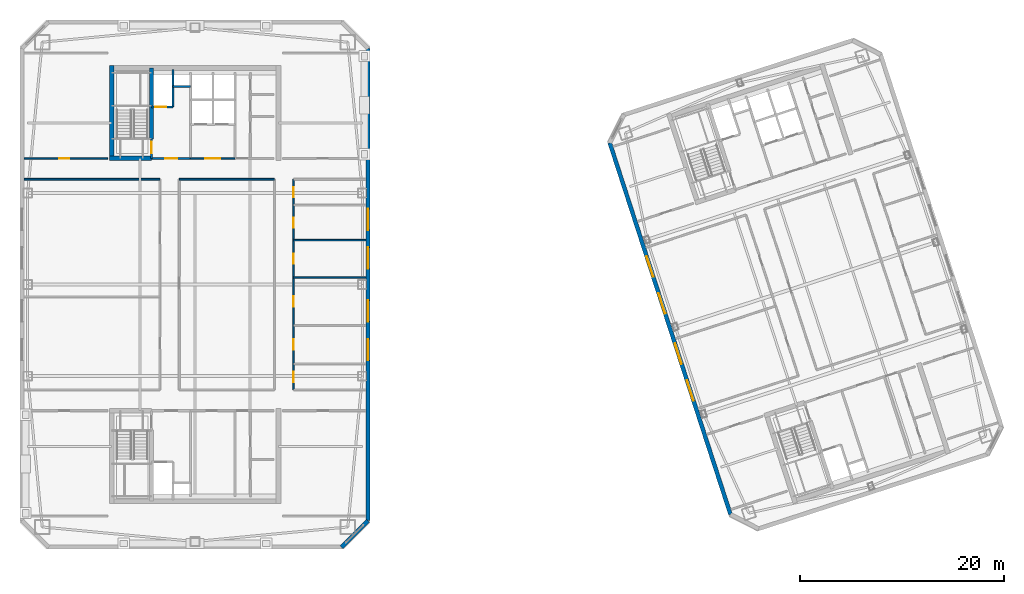
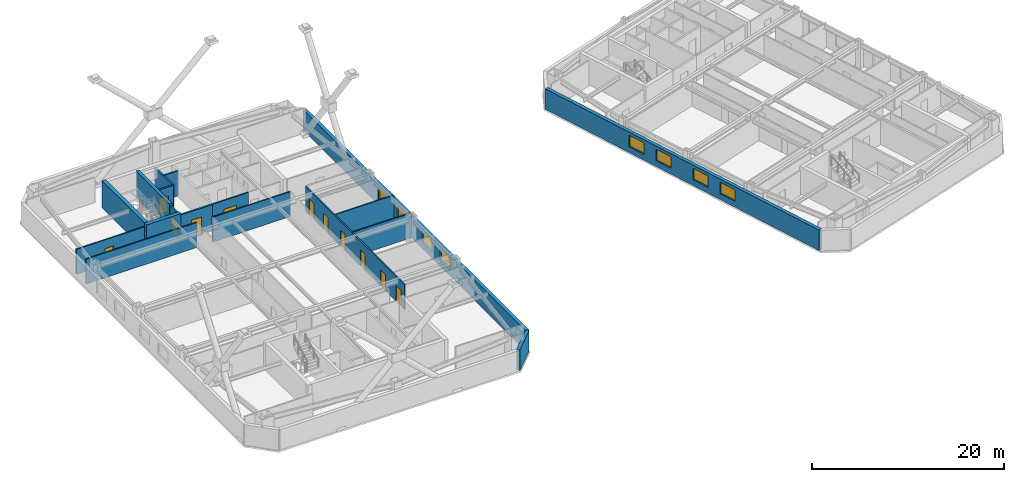
# One storey, part 18 of 25: 18 walls, 11 doors, 8 windows, 19 openings.
"""IFC4 building model written with IfcOpenShell, lengths in metres."""

from ifc_helpers import new_model, si_unit, direction, frame, frame_2d, origin, place, context, subcontext, project, spatial, rectangle, extrude, material, layer, layer_set, type_object, element, fill, save


model = new_model("IFC4")

# Units and contexts
model_context = context("Model", 3, precision=1e-05, world=origin(), true_north=direction((0.0, 1.0)))
body_context = subcontext(model_context, "Body", "Model", "MODEL_VIEW")
ifc_project = project(units=[si_unit("LENGTHUNIT", "METRE"), si_unit("AREAUNIT", "SQUARE_METRE"), si_unit("VOLUMEUNIT", "CUBIC_METRE"), si_unit("PLANEANGLEUNIT", "RADIAN"), si_unit("MASSUNIT", "GRAM", prefix="KILO")], contexts=[model_context])

# Site, building, storey
site_placement = place(None, origin())
site = spatial("IfcSite", under=ifc_project, at=site_placement, CompositionType="ELEMENT")
building_placement = place(site_placement, origin())
building = spatial("IfcBuilding", under=site, at=building_placement, Name="Qiaolan Cultural Towers", CompositionType="ELEMENT")
storey_placement = place(building_placement, frame((0.0, 0.0, 202.39990234375)))
storey = spatial("IfcBuildingStorey", under=building, at=storey_placement, Name="L54", CompositionType="ELEMENT", Elevation=202.39990234375)

# Walls
ifc_material_1 = material(Name="Concrete C50", Category="concrete")
ifc_layer_1 = layer(ifc_material_1, 0.35009765625)
ifc_layer_set_1 = layer_set([ifc_layer_1], Name="Concrete C50")
wall_type_1 = type_object("IfcWallType", Name="WL-CORE-350", PredefinedType="SHEAR", material=ifc_layer_set_1)
wall_1_placement = place(storey_placement, frame((25.719970703125, 48.300048828125, 0.0), z_axis=(0.0, 0.0, 1.0), x_axis=(0.0, 1.0, 0.0)))
element("IfcWall", 1, at=wall_1_placement, inside=storey, type_object=wall_type_1, Name="L54 T1-CN Stair Core Dividing Web", PredefinedType="SHEAR", context=body_context, shape_type="SweptSolid", body=[
    extrude(rectangle(XDim=6.97998046875, YDim=0.35009765625, at=frame_2d((3.489990234375, 0.0))), origin(), (0.0, 0.0, 1.0), 3.4501953125),
])
ifc_material_2 = material(Name="Concrete C50", Category="concrete")
ifc_layer_2 = layer(ifc_material_2, 0.449951171875)
ifc_layer_set_2 = layer_set([ifc_layer_2], Name="Concrete C50")
wall_type_2 = type_object("IfcWallType", Name="WL-CORE-450", PredefinedType="SHEAR", material=ifc_layer_set_2)
wall_2_placement = place(storey_placement, frame((21.800048828125, 46.175048828125, 0.0), z_axis=(0.0, 0.0, 1.0), x_axis=(0.0, 1.0, 0.0)))
element("IfcWall", 2, at=wall_2_placement, inside=storey, type_object=wall_type_2, Name="L54 T1-CN West Core Shear Wall", PredefinedType="SHEAR", context=body_context, shape_type="SweptSolid", body=[
    extrude(rectangle(XDim=9.329833984375, YDim=0.449951171875, at=frame_2d((4.6650390625, 0.0))), origin(), (0.0, 0.0, 1.0), 3.4501953125),
])
wall_3_placement = place(storey_placement, frame((21.574951171875, 46.39990234375, 0.0), z_axis=(0.0, 0.0, 1.0), x_axis=(1.0, 0.0, 0.0)))
element("IfcWall", 3, at=wall_3_placement, inside=storey, type_object=wall_type_2, Name="L54 T1-CN Stair Front Shear Wall", PredefinedType="SHEAR", context=body_context, shape_type="SweptSolid", body=[
    extrude(rectangle(XDim=4.14501953125, YDim=0.449951171875, at=frame_2d((2.072509765625, 0.0))), origin(), (0.0, 0.0, 1.0), 3.4501953125),
])

# Wall, openings, windows
ifc_material_3 = material(Name="Precast Concrete C50 Honed Stone Pier", Category="masonry")
ifc_layer_3 = layer(ifc_material_3, 0.39990234375)
ifc_layer_set_3 = layer_set([ifc_layer_3], Name="Precast Concrete C50 Honed Stone Pier")
wall_type_3 = type_object("IfcWallType", Name="WL-EXT-PIER-400", PredefinedType="SOLIDWALL", material=ifc_layer_set_3)
wall_4_placement = place(storey_placement, frame((47.0, 57.199951171875, 0.0), z_axis=(0.0, 0.0, 1.0), x_axis=(0.0, -1.0, 0.0)))
wall_4 = element("IfcWall", 4, at=wall_4_placement, inside=storey, type_object=wall_type_3, Name="L54 West Tower Precast Pier Facade Wall F5", PredefinedType="SOLIDWALL", context=body_context, shape_type="SweptSolid", body=[
    extrude(rectangle(XDim=46.39990234375, YDim=0.39990234375, at=frame_2d((23.199951171875, 0.0))), origin(), (0.0, 0.0, 1.0), 2.610107421875),
])
opening_1_placement = place(wall_4_placement, frame((28.550048828125, 0.0, 0.75)))
opening_1 = element("IfcOpeningElement", 5, at=opening_1_placement, cuts=wall_4, Name="Opening W-05", PredefinedType="OPENING", context=body_context, shape_type="SweptSolid", body=[
    extrude(rectangle(XDim=2.10009765625, YDim=1.4599609375, at=frame_2d((1.050048828125, 0.72998046875))), frame((0.0, 0.2099609375, 0.0), z_axis=(0.0, -1.0, 0.0), x_axis=(1.0, 0.0, 0.0)), (0.0, 0.0, 1.0), 0.419921875),
])
opening_2_placement = place(wall_4_placement, frame((24.75, 0.0, 0.75)))
opening_2 = element("IfcOpeningElement", 6, at=opening_2_placement, cuts=wall_4, Name="Opening W-05", PredefinedType="OPENING", context=body_context, shape_type="SweptSolid", body=[
    extrude(rectangle(XDim=2.10009765625, YDim=1.4599609375, at=frame_2d((1.050048828125, 0.72998046875))), frame((0.0, 0.2099609375, 0.0), z_axis=(0.0, -1.0, 0.0), x_axis=(1.0, 0.0, 0.0)), (0.0, 0.0, 1.0), 0.419921875),
])
opening_3_placement = place(wall_4_placement, frame((19.550048828125, 0.0, 0.75)))
opening_3 = element("IfcOpeningElement", 7, at=opening_3_placement, cuts=wall_4, Name="Opening W-05", PredefinedType="OPENING", context=body_context, shape_type="SweptSolid", body=[
    extrude(rectangle(XDim=2.10009765625, YDim=1.4599609375, at=frame_2d((1.050048828125, 0.72998046875))), frame((0.0, 0.2099609375, 0.0), z_axis=(0.0, -1.0, 0.0), x_axis=(1.0, 0.0, 0.0)), (0.0, 0.0, 1.0), 0.419921875),
])
opening_4_placement = place(wall_4_placement, frame((15.75, 0.0, 0.75)))
opening_4 = element("IfcOpeningElement", 8, at=opening_4_placement, cuts=wall_4, Name="Opening W-05", PredefinedType="OPENING", context=body_context, shape_type="SweptSolid", body=[
    extrude(rectangle(XDim=2.10009765625, YDim=1.4599609375, at=frame_2d((1.050048828125, 0.72998046875))), frame((0.0, 0.2099609375, 0.0), z_axis=(0.0, -1.0, 0.0), x_axis=(1.0, 0.0, 0.0)), (0.0, 0.0, 1.0), 0.419921875),
])
ifc_material_4 = material(Name="Thermally Broken Aluminium Triple Low-E Glazing", Category="aluminium")
window_type = type_object("IfcWindowType", Name="WN-CHIC-2100", PartitioningType="SINGLE_PANEL", PredefinedType="WINDOW", material=ifc_material_4)
window_1_placement = place(opening_1_placement, origin())
window_1 = element("IfcWindow", 9, at=window_1_placement, inside=storey, type_object=window_type, Name="L54 T1 E Chicago Bay Window 1", OverallHeight=1.4599609375, OverallWidth=2.10009765625, PartitioningType="TRIPLE_PANEL_VERTICAL", PredefinedType="WINDOW", context=body_context, shape_type="SweptSolid", body=[
    extrude(rectangle(XDim=2.10009765625, YDim=1.4599609375, at=frame_2d((1.050048828125, 0.72998046875))), frame((0.0, 0.030029296875, 0.0), z_axis=(0.0, -1.0, 0.0), x_axis=(1.0, 0.0, 0.0)), (0.0, 0.0, 1.0), 0.06005859375),
])
fill(opening_1, window_1)
window_2_placement = place(opening_2_placement, origin())
window_2 = element("IfcWindow", 10, at=window_2_placement, inside=storey, type_object=window_type, Name="L54 T1 E Chicago Bay Window 2", OverallHeight=1.4599609375, OverallWidth=2.10009765625, PartitioningType="TRIPLE_PANEL_VERTICAL", PredefinedType="WINDOW", context=body_context, shape_type="SweptSolid", body=[
    extrude(rectangle(XDim=2.10009765625, YDim=1.4599609375, at=frame_2d((1.050048828125, 0.72998046875))), frame((0.0, 0.030029296875, 0.0), z_axis=(0.0, -1.0, 0.0), x_axis=(1.0, 0.0, 0.0)), (0.0, 0.0, 1.0), 0.06005859375),
])
fill(opening_2, window_2)
window_3_placement = place(opening_3_placement, origin())
window_3 = element("IfcWindow", 11, at=window_3_placement, inside=storey, type_object=window_type, Name="L54 T1 E Chicago Bay Window 3", OverallHeight=1.4599609375, OverallWidth=2.10009765625, PartitioningType="TRIPLE_PANEL_VERTICAL", PredefinedType="WINDOW", context=body_context, shape_type="SweptSolid", body=[
    extrude(rectangle(XDim=2.10009765625, YDim=1.4599609375, at=frame_2d((1.050048828125, 0.72998046875))), frame((0.0, 0.030029296875, 0.0), z_axis=(0.0, -1.0, 0.0), x_axis=(1.0, 0.0, 0.0)), (0.0, 0.0, 1.0), 0.06005859375),
])
fill(opening_3, window_3)
window_4_placement = place(opening_4_placement, origin())
window_4 = element("IfcWindow", 12, at=window_4_placement, inside=storey, type_object=window_type, Name="L54 T1 E Chicago Bay Window 4", OverallHeight=1.4599609375, OverallWidth=2.10009765625, PartitioningType="TRIPLE_PANEL_VERTICAL", PredefinedType="WINDOW", context=body_context, shape_type="SweptSolid", body=[
    extrude(rectangle(XDim=2.10009765625, YDim=1.4599609375, at=frame_2d((1.050048828125, 0.72998046875))), frame((0.0, 0.030029296875, 0.0), z_axis=(0.0, -1.0, 0.0), x_axis=(1.0, 0.0, 0.0)), (0.0, 0.0, 1.0), 0.06005859375),
])
fill(opening_4, window_4)

# Wall
wall_5_placement = place(storey_placement, frame((47.0, 10.800048828125, 0.0), z_axis=(0.0, 0.0, 1.0), x_axis=(-0.707106781187, -0.707106781187, 0.0)))
element("IfcWall", 13, at=wall_5_placement, inside=storey, type_object=wall_type_3, Name="L54 West Tower Precast Pier Facade Wall F6", PredefinedType="SOLIDWALL", context=body_context, shape_type="SweptSolid", body=[
    extrude(rectangle(XDim=3.677001953125, YDim=0.39990234375, at=frame_2d((1.83837890625, 0.0))), origin(), (0.0, 0.0, 1.0), 2.610107421875),
])

# Wall, openings, windows
wall_6_placement = place(storey_placement, frame((82.618408203125, 11.41357421875, 0.0), z_axis=(0.0, 0.0, 1.0), x_axis=(-0.309016491071, 0.951056679828, 0.0)))
wall_6 = element("IfcWall", 14, at=wall_6_placement, inside=storey, type_object=wall_type_3, Name="L54 East Tower Precast Pier Facade Wall F1", PredefinedType="SOLIDWALL", context=body_context, shape_type="SweptSolid", body=[
    extrude(rectangle(XDim=38.39990234375, YDim=0.39990234375, at=frame_2d((19.199951171875, 0.0))), origin(), (0.0, 0.0, 1.0), 2.610107421875),
])
opening_5_placement = place(wall_6_placement, frame((11.75, 0.0, 0.75)))
opening_5 = element("IfcOpeningElement", 15, at=opening_5_placement, cuts=wall_6, Name="Opening W-05", PredefinedType="OPENING", context=body_context, shape_type="SweptSolid", body=[
    extrude(rectangle(XDim=2.10009765625, YDim=1.4599609375, at=frame_2d((1.050048828125, 0.72998046875))), frame((0.0, 0.2099609375, 0.0), z_axis=(0.0, -1.0, 0.0), x_axis=(1.0, 0.0, 0.0)), (0.0, 0.0, 1.0), 0.419921875),
])
opening_6_placement = place(wall_6_placement, frame((15.550048828125, 0.0, 0.75)))
opening_6 = element("IfcOpeningElement", 16, at=opening_6_placement, cuts=wall_6, Name="Opening W-05", PredefinedType="OPENING", context=body_context, shape_type="SweptSolid", body=[
    extrude(rectangle(XDim=2.10009765625, YDim=1.4599609375, at=frame_2d((1.050048828125, 0.72998046875))), frame((0.0, 0.2099609375, 0.0), z_axis=(0.0, -1.0, 0.0), x_axis=(1.0, 0.0, 0.0)), (0.0, 0.0, 1.0), 0.419921875),
])
opening_7_placement = place(wall_6_placement, frame((20.75, 0.0, 0.75)))
opening_7 = element("IfcOpeningElement", 17, at=opening_7_placement, cuts=wall_6, Name="Opening W-05", PredefinedType="OPENING", context=body_context, shape_type="SweptSolid", body=[
    extrude(rectangle(XDim=2.10009765625, YDim=1.4599609375, at=frame_2d((1.050048828125, 0.72998046875))), frame((0.0, 0.2099609375, 0.0), z_axis=(0.0, -1.0, 0.0), x_axis=(1.0, 0.0, 0.0)), (0.0, 0.0, 1.0), 0.419921875),
])
opening_8_placement = place(wall_6_placement, frame((24.550048828125, 0.0, 0.75)))
opening_8 = element("IfcOpeningElement", 18, at=opening_8_placement, cuts=wall_6, Name="Opening W-05", PredefinedType="OPENING", context=body_context, shape_type="SweptSolid", body=[
    extrude(rectangle(XDim=2.10009765625, YDim=1.4599609375, at=frame_2d((1.050048828125, 0.72998046875))), frame((0.0, 0.2099609375, 0.0), z_axis=(0.0, -1.0, 0.0), x_axis=(1.0, 0.0, 0.0)), (0.0, 0.0, 1.0), 0.419921875),
])
window_5_placement = place(opening_5_placement, origin())
window_5 = element("IfcWindow", 19, at=window_5_placement, inside=storey, type_object=window_type, Name="L54 T2 W Chicago Bay Window 1", OverallHeight=1.4599609375, OverallWidth=2.10009765625, PartitioningType="TRIPLE_PANEL_VERTICAL", PredefinedType="WINDOW", context=body_context, shape_type="SweptSolid", body=[
    extrude(rectangle(XDim=2.10009765625, YDim=1.4599609375, at=frame_2d((1.050048828125, 0.72998046875))), frame((0.0, 0.030029296875, 0.0), z_axis=(0.0, -1.0, 0.0), x_axis=(1.0, 0.0, 0.0)), (0.0, 0.0, 1.0), 0.06005859375),
])
fill(opening_5, window_5)
window_6_placement = place(opening_6_placement, origin())
window_6 = element("IfcWindow", 20, at=window_6_placement, inside=storey, type_object=window_type, Name="L54 T2 W Chicago Bay Window 2", OverallHeight=1.4599609375, OverallWidth=2.10009765625, PartitioningType="TRIPLE_PANEL_VERTICAL", PredefinedType="WINDOW", context=body_context, shape_type="SweptSolid", body=[
    extrude(rectangle(XDim=2.10009765625, YDim=1.4599609375, at=frame_2d((1.050048828125, 0.72998046875))), frame((0.0, 0.030029296875, 0.0), z_axis=(0.0, -1.0, 0.0), x_axis=(1.0, 0.0, 0.0)), (0.0, 0.0, 1.0), 0.06005859375),
])
fill(opening_6, window_6)
window_7_placement = place(opening_7_placement, origin())
window_7 = element("IfcWindow", 21, at=window_7_placement, inside=storey, type_object=window_type, Name="L54 T2 W Chicago Bay Window 3", OverallHeight=1.4599609375, OverallWidth=2.10009765625, PartitioningType="TRIPLE_PANEL_VERTICAL", PredefinedType="WINDOW", context=body_context, shape_type="SweptSolid", body=[
    extrude(rectangle(XDim=2.10009765625, YDim=1.4599609375, at=frame_2d((1.050048828125, 0.72998046875))), frame((0.0, 0.030029296875, 0.0), z_axis=(0.0, -1.0, 0.0), x_axis=(1.0, 0.0, 0.0)), (0.0, 0.0, 1.0), 0.06005859375),
])
fill(opening_7, window_7)
window_8_placement = place(opening_8_placement, origin())
window_8 = element("IfcWindow", 22, at=window_8_placement, inside=storey, type_object=window_type, Name="L54 T2 W Chicago Bay Window 4", OverallHeight=1.4599609375, OverallWidth=2.10009765625, PartitioningType="TRIPLE_PANEL_VERTICAL", PredefinedType="WINDOW", context=body_context, shape_type="SweptSolid", body=[
    extrude(rectangle(XDim=2.10009765625, YDim=1.4599609375, at=frame_2d((1.050048828125, 0.72998046875))), frame((0.0, 0.030029296875, 0.0), z_axis=(0.0, -1.0, 0.0), x_axis=(1.0, 0.0, 0.0)), (0.0, 0.0, 1.0), 0.06005859375),
])
fill(opening_8, window_8)

# Wall, opening, door
ifc_material_5 = material(Name="Concrete C35 Fire Wall", Category="concrete")
ifc_layer_4 = layer(ifc_material_5, 0.199951171875)
ifc_layer_set_4 = layer_set([ifc_layer_4], Name="Concrete C35 Fire Wall")
wall_type_4 = type_object("IfcWallType", Name="WL-FIRE-200", PredefinedType="PARTITIONING", material=ifc_layer_set_4)
wall_7_placement = place(storey_placement, frame((25.719970703125, 46.39990234375, 0.0), z_axis=(0.0, 0.0, 1.0), x_axis=(0.0, 1.0, 0.0)))
wall_7 = element("IfcWall", 23, at=wall_7_placement, inside=storey, type_object=wall_type_4, Name="L54 T1-CN Smokeproof Stair Entry Wall", PredefinedType="PARTITIONING", context=body_context, shape_type="SweptSolid", body=[
    extrude(rectangle(XDim=1.900146484375, YDim=0.199951171875, at=frame_2d((0.9501953125, 0.0))), origin(), (0.0, 0.0, 1.0), 3.175048828125),
])
opening_9_placement = place(wall_7_placement, frame((0.52001953125, 0.0, 0.0)))
opening_9 = element("IfcOpeningElement", 24, at=opening_9_placement, cuts=wall_7, Name="Opening FD-04", PredefinedType="OPENING", context=body_context, shape_type="SweptSolid", body=[
    extrude(rectangle(XDim=1.10009765625, YDim=2.050048828125, at=frame_2d((0.550048828125, 1.02490234375))), frame((0.0, 0.10986328125, 0.0), z_axis=(0.0, -1.0, 0.0), x_axis=(1.0, 0.0, 0.0)), (0.0, 0.0, 1.0), 0.219970703125),
])
ifc_material_6 = material(Name="Galvanized Steel Command Fire Door", Category="steel")
door_type_1 = type_object("IfcDoorType", Name="DR-FD90-1100", OperationType="NOTDEFINED", PredefinedType="DOOR", material=ifc_material_6)
door_1_placement = place(opening_9_placement, origin())
door_1 = element("IfcDoor", 25, at=door_1_placement, inside=storey, type_object=door_type_1, Name="L54 ST-W2 Smokeproof Stair Fire Door", OperationType="SINGLE_SWING_LEFT", OverallHeight=2.050048828125, OverallWidth=1.10009765625, PredefinedType="DOOR", context=body_context, shape_type="SweptSolid", body=[
    extrude(rectangle(XDim=1.10009765625, YDim=2.050048828125, at=frame_2d((0.550048828125, 1.02490234375))), frame((0.0, 0.02490234375, 0.0), z_axis=(0.0, -1.0, 0.0), x_axis=(1.0, 0.0, 0.0)), (0.0, 0.0, 1.0), 0.050048828125),
])
fill(opening_9, door_1)

wall_8_placement = place(storey_placement, frame((25.719970703125, 46.39990234375, 0.0), z_axis=(0.0, 0.0, 1.0), x_axis=(1.0, 0.0, 0.0)))
wall_8 = element("IfcWall", 26, at=wall_8_placement, inside=storey, type_object=wall_type_4, Name="L54 T1-CN Firefighting Lobby Front Wall", PredefinedType="PARTITIONING", context=body_context, shape_type="SweptSolid", body=[
    extrude(rectangle(XDim=3.830078125, YDim=0.199951171875, at=frame_2d((1.9150390625, 0.0))), origin(), (0.0, 0.0, 1.0), 3.175048828125),
])
opening_10_placement = place(wall_8_placement, frame((1.35009765625, 0.0, 0.0)))
opening_10 = element("IfcOpeningElement", 27, at=opening_10_placement, cuts=wall_8, Name="Opening FD-03", PredefinedType="OPENING", context=body_context, shape_type="SweptSolid", body=[
    extrude(rectangle(XDim=1.199951171875, YDim=2.050048828125, at=frame_2d((0.60009765625, 1.02490234375))), frame((0.0, 0.10986328125, 0.0), z_axis=(0.0, -1.0, 0.0), x_axis=(1.0, 0.0, 0.0)), (0.0, 0.0, 1.0), 0.219970703125),
])
ifc_material_7 = material(Name="Galvanized Steel Smokeproof Lobby Fire Door", Category="steel")
door_type_2 = type_object("IfcDoorType", Name="DR-FD90-1200", OperationType="NOTDEFINED", PredefinedType="DOOR", material=ifc_material_7)
door_2_placement = place(opening_10_placement, origin())
door_2 = element("IfcDoor", 28, at=door_2_placement, inside=storey, type_object=door_type_2, Name="L54 FFL-W2 Firefighting Lobby Fire Door", OperationType="SINGLE_SWING_LEFT", OverallHeight=2.050048828125, OverallWidth=1.199951171875, PredefinedType="DOOR", context=body_context, shape_type="SweptSolid", body=[
    extrude(rectangle(XDim=1.199951171875, YDim=2.050048828125, at=frame_2d((0.60009765625, 1.02490234375))), frame((0.0, 0.02490234375, 0.0), z_axis=(0.0, -1.0, 0.0), x_axis=(1.0, 0.0, 0.0)), (0.0, 0.0, 1.0), 0.050048828125),
])
fill(opening_10, door_2)

wall_9_placement = place(storey_placement, frame((25.719970703125, 51.449951171875, 0.0), z_axis=(0.0, 0.0, 1.0), x_axis=(1.0, 0.0, 0.0)))
wall_9 = element("IfcWall", 29, at=wall_9_placement, inside=storey, type_object=wall_type_4, Name="L54 T1-CN Firefighting Shaft Front Wall", PredefinedType="PARTITIONING", context=body_context, shape_type="SweptSolid", body=[
    extrude(rectangle(XDim=2.10009765625, YDim=0.199951171875, at=frame_2d((1.050048828125, 0.0))), origin(), (0.0, 0.0, 1.0), 3.175048828125),
])
opening_11_placement = place(wall_9_placement, frame((0.35009765625, 0.0, 0.0)))
opening_11 = element("IfcOpeningElement", 30, at=opening_11_placement, cuts=wall_9, Name="Opening LD-01", PredefinedType="OPENING", context=body_context, shape_type="SweptSolid", body=[
    extrude(rectangle(XDim=1.10009765625, YDim=2.050048828125, at=frame_2d((0.550048828125, 1.02490234375))), frame((0.0, 0.10986328125, 0.0), z_axis=(0.0, -1.0, 0.0), x_axis=(1.0, 0.0, 0.0)), (0.0, 0.0, 1.0), 0.219970703125),
])
ifc_material_8 = material(Name="Brushed Stainless Steel S30408 Centre-Parting Lift Landing Door", Category="steel")
door_type_3 = type_object("IfcDoorType", Name="DR-LIFT-1100", OperationType="NOTDEFINED", PredefinedType="DOOR", material=ifc_material_8)
door_3_placement = place(opening_11_placement, origin())
door_3 = element("IfcDoor", 31, at=door_3_placement, inside=storey, type_object=door_type_3, Name="L54 FFL-W2 Firefighting Lift Landing Door", OperationType="DOUBLE_DOOR_SLIDING", OverallHeight=2.050048828125, OverallWidth=1.10009765625, PredefinedType="DOOR", context=body_context, shape_type="SweptSolid", body=[
    extrude(rectangle(XDim=1.10009765625, YDim=2.050048828125, at=frame_2d((0.550048828125, 1.02490234375))), frame((0.0, 0.02490234375, 0.0), z_axis=(0.0, -1.0, 0.0), x_axis=(1.0, 0.0, 0.0)), (0.0, 0.0, 1.0), 0.050048828125),
])
fill(opening_11, door_3)

# Walls
wall_10_placement = place(storey_placement, frame((27.820068359375, 51.449951171875, 0.0), z_axis=(0.0, 0.0, 1.0), x_axis=(0.0, 1.0, 0.0)))
element("IfcWall", 32, at=wall_10_placement, inside=storey, type_object=wall_type_4, Name="L54 T1-CN Firefighting Hoistway East Wall", PredefinedType="PARTITIONING", context=body_context, shape_type="SweptSolid", body=[
    extrude(rectangle(XDim=3.699951171875, YDim=0.199951171875, at=frame_2d((1.85009765625, 0.0))), origin(), (0.0, 0.0, 1.0), 3.175048828125),
])
wall_11_placement = place(storey_placement, frame((27.820068359375, 53.47998046875, 0.0), z_axis=(0.0, 0.0, 1.0), x_axis=(1.0, 0.0, 0.0)))
element("IfcWall", 33, at=wall_11_placement, inside=storey, type_object=wall_type_4, Name="L54 T1-CN Pressurization Shaft Front Wall", PredefinedType="PARTITIONING", context=body_context, shape_type="SweptSolid", body=[
    extrude(rectangle(XDim=1.72998046875, YDim=0.199951171875, at=frame_2d((0.864990234375, 0.0))), origin(), (0.0, 0.0, 1.0), 3.175048828125),
])

# Wall, opening, door
ifc_material_9 = material(Name="Autoclaved Aerated Concrete Block B06", Category="concrete")
ifc_layer_5 = layer(ifc_material_9, 0.14990234375)
ifc_layer_set_5 = layer_set([ifc_layer_5], Name="Autoclaved Aerated Concrete Block B06")
wall_type_5 = type_object("IfcWallType", Name="WL-PART-150", PredefinedType="PARTITIONING", material=ifc_layer_set_5)
wall_12_placement = place(storey_placement, frame((29.550048828125, 46.39990234375, 0.0), z_axis=(0.0, 0.0, 1.0), x_axis=(1.0, 0.0, 0.0)))
wall_12 = element("IfcWall", 34, at=wall_12_placement, inside=storey, type_object=wall_type_5, Name="L54 T1-CN Passenger Lift Lobby Front Wall", PredefinedType="PARTITIONING", context=body_context, shape_type="SweptSolid", body=[
    extrude(rectangle(XDim=4.39990234375, YDim=0.14990234375, at=frame_2d((2.199951171875, 0.0))), origin(), (0.0, 0.0, 1.0), 3.175048828125),
])
opening_12_placement = place(wall_12_placement, frame((1.449951171875, 0.0, 0.0)))
opening_12 = element("IfcOpeningElement", 35, at=opening_12_placement, cuts=wall_12, Name="Opening FD-05", PredefinedType="OPENING", context=body_context, shape_type="SweptSolid", body=[
    extrude(rectangle(XDim=1.5, YDim=2.050048828125, at=frame_2d((0.75, 1.02490234375))), frame((0.0, 0.0849609375, 0.0), z_axis=(0.0, -1.0, 0.0), x_axis=(1.0, 0.0, 0.0)), (0.0, 0.0, 1.0), 0.169921875),
])
ifc_material_10 = material(Name="Painted Steel Lift Lobby Fire Door", Category="steel")
door_type_4 = type_object("IfcDoorType", Name="DR-FD60-1500", OperationType="NOTDEFINED", PredefinedType="DOOR", material=ifc_material_10)
door_4_placement = place(opening_12_placement, origin())
door_4 = element("IfcDoor", 36, at=door_4_placement, inside=storey, type_object=door_type_4, Name="L54 Passenger Lift Lobby Entrance", OperationType="SINGLE_SWING_LEFT", OverallHeight=2.050048828125, OverallWidth=1.5, PredefinedType="DOOR", context=body_context, shape_type="SweptSolid", body=[
    extrude(rectangle(XDim=1.5, YDim=2.050048828125, at=frame_2d((0.75, 1.02490234375))), frame((0.0, 0.02490234375, 0.0), z_axis=(0.0, -1.0, 0.0), x_axis=(1.0, 0.0, 0.0)), (0.0, 0.0, 1.0), 0.050048828125),
])
fill(opening_12, door_4)

wall_13_placement = place(storey_placement, frame((13.199951171875, 46.39990234375, 0.0), z_axis=(0.0, 0.0, 1.0), x_axis=(1.0, 0.0, 0.0)))
wall_13 = element("IfcWall", 37, at=wall_13_placement, inside=storey, type_object=wall_type_5, Name="L54 T1 Flank Front FLK-NW", PredefinedType="PARTITIONING", context=body_context, shape_type="SweptSolid", body=[
    extrude(rectangle(XDim=8.199951171875, YDim=0.14990234375, at=frame_2d((4.10009765625, 0.0))), origin(), (0.0, 0.0, 1.0), 3.175048828125),
])
opening_13_placement = place(wall_13_placement, frame((3.444091796875, 0.0, 0.0)))
opening_13 = element("IfcOpeningElement", 38, at=opening_13_placement, cuts=wall_13, Name="Opening ID-04", PredefinedType="OPENING", context=body_context, shape_type="SweptSolid", body=[
    extrude(rectangle(XDim=1.0, YDim=2.050048828125, at=frame_2d((0.5, 1.02490234375))), frame((0.0, 0.0849609375, 0.0), z_axis=(0.0, -1.0, 0.0), x_axis=(1.0, 0.0, 0.0)), (0.0, 0.0, 1.0), 0.169921875),
])
ifc_material_11 = material(Name="Oak Veneer Acoustic Office Door", Category="timber")
door_type_5 = type_object("IfcDoorType", Name="DR-INT-1000", OperationType="NOTDEFINED", PredefinedType="DOOR", material=ifc_material_11)
door_5_placement = place(opening_13_placement, origin())
door_5 = element("IfcDoor", 39, at=door_5_placement, inside=storey, type_object=door_type_5, Name="L54 T1 Corner Studio Door", OperationType="SINGLE_SWING_LEFT", OverallHeight=2.050048828125, OverallWidth=1.0, PredefinedType="DOOR", context=body_context, shape_type="SweptSolid", body=[
    extrude(rectangle(XDim=1.0, YDim=2.050048828125, at=frame_2d((0.5, 1.02490234375))), frame((0.0, 0.02490234375, 0.0), z_axis=(0.0, -1.0, 0.0), x_axis=(1.0, 0.0, 0.0)), (0.0, 0.0, 1.0), 0.050048828125),
])
fill(opening_13, door_5)

# Walls
wall_14_placement = place(storey_placement, frame((13.199951171875, 44.35009765625, 0.0), z_axis=(0.0, 0.0, 1.0), x_axis=(1.0, 0.0, 0.0)))
element("IfcWall", 40, at=wall_14_placement, inside=storey, type_object=wall_type_5, Name="L54 T1 Interior Wall", PredefinedType="PARTITIONING", context=body_context, shape_type="SweptSolid", body=[
    extrude(rectangle(XDim=13.35009765625, YDim=0.14990234375, at=frame_2d((6.675048828125, 0.0))), origin(), (0.0, 0.0, 1.0), 3.175048828125),
])
wall_15_placement = place(storey_placement, frame((28.449951171875, 44.35009765625, 0.0), z_axis=(0.0, 0.0, 1.0), x_axis=(1.0, 0.0, 0.0)))
element("IfcWall", 41, at=wall_15_placement, inside=storey, type_object=wall_type_5, Name="L54 T1 Interior Wall", PredefinedType="PARTITIONING", context=body_context, shape_type="SweptSolid", body=[
    extrude(rectangle(XDim=9.35009765625, YDim=0.14990234375, at=frame_2d((4.675048828125, 0.0))), origin(), (0.0, 0.0, 1.0), 3.175048828125),
])

# Wall, openings, doors
wall_16_placement = place(storey_placement, frame((39.699951171875, 23.64990234375, 0.0), z_axis=(0.0, 0.0, 1.0), x_axis=(0.0, 1.0, 0.0)))
wall_16 = element("IfcWall", 42, at=wall_16_placement, inside=storey, type_object=wall_type_5, Name="L54 T1 Interior Wall", PredefinedType="PARTITIONING", context=body_context, shape_type="SweptSolid", body=[
    extrude(rectangle(XDim=20.7001953125, YDim=0.14990234375, at=frame_2d((10.35009765625, 0.0))), origin(), (0.0, 0.0, 1.0), 3.175048828125),
])
opening_14_placement = place(wall_16_placement, frame((0.77490234375, 0.0, 0.0)))
opening_14 = element("IfcOpeningElement", 43, at=opening_14_placement, cuts=wall_16, Name="Opening ID-04", PredefinedType="OPENING", context=body_context, shape_type="SweptSolid", body=[
    extrude(rectangle(XDim=1.0, YDim=2.050048828125, at=frame_2d((0.5, 1.02490234375))), frame((0.0, 0.0849609375, 0.0), z_axis=(0.0, -1.0, 0.0), x_axis=(1.0, 0.0, 0.0)), (0.0, 0.0, 1.0), 0.169921875),
])
opening_15_placement = place(wall_16_placement, frame((3.949951171875, 0.0, 0.0)))
opening_15 = element("IfcOpeningElement", 44, at=opening_15_placement, cuts=wall_16, Name="Opening ID-07", PredefinedType="OPENING", context=body_context, shape_type="SweptSolid", body=[
    extrude(rectangle(XDim=1.050048828125, YDim=2.050048828125, at=frame_2d((0.52490234375, 1.02490234375))), frame((0.0, 0.0849609375, 0.0), z_axis=(0.0, -1.0, 0.0), x_axis=(1.0, 0.0, 0.0)), (0.0, 0.0, 1.0), 0.169921875),
])
opening_16_placement = place(wall_16_placement, frame((8.18994140625, 0.0, 0.0)))
opening_16 = element("IfcOpeningElement", 45, at=opening_16_placement, cuts=wall_16, Name="Opening ID-04", PredefinedType="OPENING", context=body_context, shape_type="SweptSolid", body=[
    extrude(rectangle(XDim=1.0, YDim=2.050048828125, at=frame_2d((0.5, 1.02490234375))), frame((0.0, 0.0849609375, 0.0), z_axis=(0.0, -1.0, 0.0), x_axis=(1.0, 0.0, 0.0)), (0.0, 0.0, 1.0), 0.169921875),
])
opening_17_placement = place(wall_16_placement, frame((12.37255859375, 0.0, 0.0)))
opening_17 = element("IfcOpeningElement", 46, at=opening_17_placement, cuts=wall_16, Name="Opening ID-04", PredefinedType="OPENING", context=body_context, shape_type="SweptSolid", body=[
    extrude(rectangle(XDim=1.0, YDim=2.050048828125, at=frame_2d((0.5, 1.02490234375))), frame((0.0, 0.0849609375, 0.0), z_axis=(0.0, -1.0, 0.0), x_axis=(1.0, 0.0, 0.0)), (0.0, 0.0, 1.0), 0.169921875),
])
opening_18_placement = place(wall_16_placement, frame((15.9326171875, 0.0, 0.0)))
opening_18 = element("IfcOpeningElement", 47, at=opening_18_placement, cuts=wall_16, Name="Opening ID-04", PredefinedType="OPENING", context=body_context, shape_type="SweptSolid", body=[
    extrude(rectangle(XDim=1.0, YDim=2.050048828125, at=frame_2d((0.5, 1.02490234375))), frame((0.0, 0.0849609375, 0.0), z_axis=(0.0, -1.0, 0.0), x_axis=(1.0, 0.0, 0.0)), (0.0, 0.0, 1.0), 0.169921875),
])
opening_19_placement = place(wall_16_placement, frame((18.925048828125, 0.0, 0.0)))
opening_19 = element("IfcOpeningElement", 48, at=opening_19_placement, cuts=wall_16, Name="Opening ID-04", PredefinedType="OPENING", context=body_context, shape_type="SweptSolid", body=[
    extrude(rectangle(XDim=1.0, YDim=2.050048828125, at=frame_2d((0.5, 1.02490234375))), frame((0.0, 0.0849609375, 0.0), z_axis=(0.0, -1.0, 0.0), x_axis=(1.0, 0.0, 0.0)), (0.0, 0.0, 1.0), 0.169921875),
])
door_6_placement = place(opening_14_placement, origin())
door_6 = element("IfcDoor", 49, at=door_6_placement, inside=storey, type_object=door_type_5, Name="L54 T1 Cultural Exchange Shop Door", OperationType="SINGLE_SWING_RIGHT", OverallHeight=2.050048828125, OverallWidth=1.0, PredefinedType="DOOR", context=body_context, shape_type="SweptSolid", body=[
    extrude(rectangle(XDim=1.0, YDim=2.050048828125, at=frame_2d((0.5, 1.02490234375))), frame((0.0, 0.02490234375, 0.0), z_axis=(0.0, -1.0, 0.0), x_axis=(1.0, 0.0, 0.0)), (0.0, 0.0, 1.0), 0.050048828125),
])
fill(opening_14, door_6)
door_7_placement = place(opening_16_placement, origin())
door_7 = element("IfcDoor", 50, at=door_7_placement, inside=storey, type_object=door_type_5, Name="L54 T1 Seminar Room Door", OperationType="SINGLE_SWING_RIGHT", OverallHeight=2.050048828125, OverallWidth=1.0, PredefinedType="DOOR", context=body_context, shape_type="SweptSolid", body=[
    extrude(rectangle(XDim=1.0, YDim=2.050048828125, at=frame_2d((0.5, 1.02490234375))), frame((0.0, 0.02490234375, 0.0), z_axis=(0.0, -1.0, 0.0), x_axis=(1.0, 0.0, 0.0)), (0.0, 0.0, 1.0), 0.050048828125),
])
fill(opening_16, door_7)
door_8_placement = place(opening_17_placement, origin())
door_8 = element("IfcDoor", 51, at=door_8_placement, inside=storey, type_object=door_type_5, Name="L54 T1 Seminar Room Door", OperationType="SINGLE_SWING_LEFT", OverallHeight=2.050048828125, OverallWidth=1.0, PredefinedType="DOOR", context=body_context, shape_type="SweptSolid", body=[
    extrude(rectangle(XDim=1.0, YDim=2.050048828125, at=frame_2d((0.5, 1.02490234375))), frame((0.0, 0.02490234375, 0.0), z_axis=(0.0, -1.0, 0.0), x_axis=(1.0, 0.0, 0.0)), (0.0, 0.0, 1.0), 0.050048828125),
])
fill(opening_17, door_8)
door_9_placement = place(opening_18_placement, origin())
door_9 = element("IfcDoor", 52, at=door_9_placement, inside=storey, type_object=door_type_5, Name="L54 T1 Catering Pantry Door", OperationType="SINGLE_SWING_RIGHT", OverallHeight=2.050048828125, OverallWidth=1.0, PredefinedType="DOOR", context=body_context, shape_type="SweptSolid", body=[
    extrude(rectangle(XDim=1.0, YDim=2.050048828125, at=frame_2d((0.5, 1.02490234375))), frame((0.0, 0.02490234375, 0.0), z_axis=(0.0, -1.0, 0.0), x_axis=(1.0, 0.0, 0.0)), (0.0, 0.0, 1.0), 0.050048828125),
])
fill(opening_18, door_9)
door_10_placement = place(opening_19_placement, origin())
door_10 = element("IfcDoor", 53, at=door_10_placement, inside=storey, type_object=door_type_5, Name="L54 T1 Medical Station Door", OperationType="SINGLE_SWING_LEFT", OverallHeight=2.050048828125, OverallWidth=1.0, PredefinedType="DOOR", context=body_context, shape_type="SweptSolid", body=[
    extrude(rectangle(XDim=1.0, YDim=2.050048828125, at=frame_2d((0.5, 1.02490234375))), frame((0.0, 0.02490234375, 0.0), z_axis=(0.0, -1.0, 0.0), x_axis=(1.0, 0.0, 0.0)), (0.0, 0.0, 1.0), 0.050048828125),
])
fill(opening_19, door_10)
ifc_material_12 = material(Name="Oak Veneer Consultation Door", Category="timber")
door_type_6 = type_object("IfcDoorType", Name="DR-INT-1050", OperationType="NOTDEFINED", PredefinedType="DOOR", material=ifc_material_12)
door_11_placement = place(opening_15_placement, origin())
door_11 = element("IfcDoor", 54, at=door_11_placement, inside=storey, type_object=door_type_6, Name="L54 T1 Cultural Exchange Shop Door", OperationType="SINGLE_SWING_LEFT", OverallHeight=2.050048828125, OverallWidth=1.050048828125, PredefinedType="DOOR", context=body_context, shape_type="SweptSolid", body=[
    extrude(rectangle(XDim=1.050048828125, YDim=2.050048828125, at=frame_2d((0.52490234375, 1.02490234375))), frame((0.0, 0.02490234375, 0.0), z_axis=(0.0, -1.0, 0.0), x_axis=(1.0, 0.0, 0.0)), (0.0, 0.0, 1.0), 0.050048828125),
])
fill(opening_15, door_11)

# Walls
for number, where, z_axis, x_axis, name in (
    (55, (39.699951171875, 34.679931640625, 0.0), (0.0, 0.0, 1.0), (1.0, 0.0, 0.0), "L54 T1 Interior Wall"),
    (56, (39.699951171875, 38.364990234375, 0.0), (0.0, 0.0, 1.0), (1.0, 0.0, 0.0), "L54 T1 Interior Wall"),
):
    element("IfcWall", number, at=place(storey_placement, frame(where, z_axis=z_axis, x_axis=x_axis)), inside=storey, type_object=wall_type_5, Name=name, PredefinedType="PARTITIONING", context=body_context, shape_type="SweptSolid", body=[
        extrude(rectangle(XDim=7.10009765625, YDim=0.14990234375, at=frame_2d((3.550048828125, 0.0))), origin(), (0.0, 0.0, 1.0), 3.175048828125),
    ])

save(model, "model.ifc")
